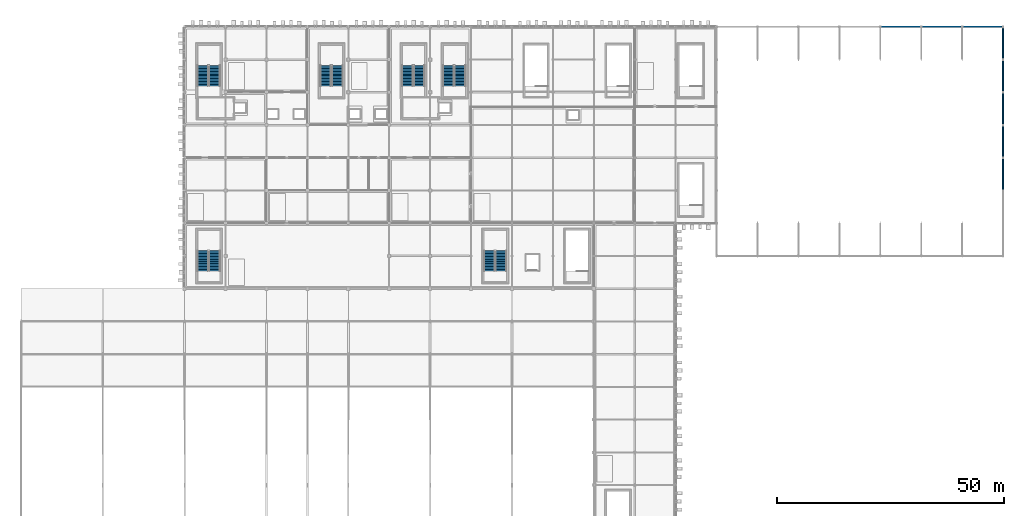
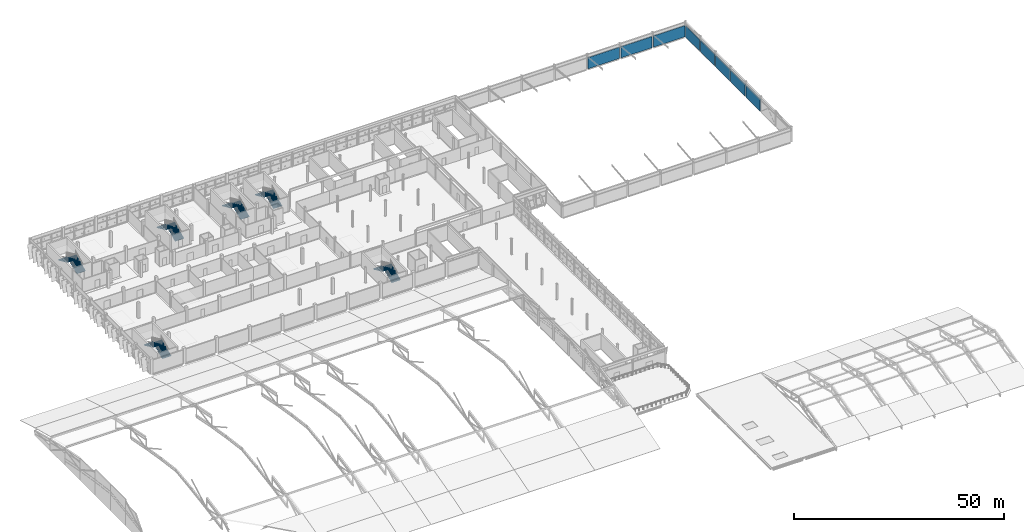
# One storey, part 108 of 124: 12 stair flights, 8 walls, 6 elements without a shape of their own.
"""IFC4 building model written with IfcOpenShell, lengths in metres."""

from ifc_helpers import new_model, si_unit, direction, frame, frame_2d, origin, place, context, subcontext, project, spatial, polyline, rectangle, outline, extrude, material, layer, layer_set, type_object, element, aggregate, save


model = new_model("IFC4")

# Units and contexts
model_context = context("Model", 3, precision=1e-05, world=origin(), true_north=direction((0.0, 1.0)))
body_context = subcontext(model_context, "Body", "Model", "MODEL_VIEW")
ifc_project = project(units=[si_unit("LENGTHUNIT", "METRE"), si_unit("AREAUNIT", "SQUARE_METRE"), si_unit("VOLUMEUNIT", "CUBIC_METRE"), si_unit("PLANEANGLEUNIT", "RADIAN"), si_unit("MASSUNIT", "GRAM", prefix="KILO")], contexts=[model_context])

# Site, building, storey
site_placement = place(None, origin())
site = spatial("IfcSite", under=ifc_project, at=site_placement, CompositionType="ELEMENT")
building_placement = place(site_placement, origin())
building = spatial("IfcBuilding", under=site, at=building_placement, Name="Celestram Park Convention Centre", CompositionType="ELEMENT")
storey_placement = place(building_placement, frame((0.0, 0.0, 15.300048828125)))
storey = spatial("IfcBuildingStorey", under=building, at=storey_placement, Name="L03", CompositionType="ELEMENT", Elevation=15.300048828125)

# Walls
ifc_material = material(Name="Precast Concrete C40/50", Category="concrete")
ifc_layer = layer(ifc_material, 0.260009765625)
ifc_layer_set = layer_set([ifc_layer], Name="Precast Concrete C40/50")
wall_type = type_object("IfcWallType", Name="ARC-WL-EXT260", PredefinedType="STANDARD", material=ifc_layer_set)
for number, where, z_axis, x_axis, name in (
    (1, (189.197998046875, 165.60009765625, 0.0), (0.0, 0.0, 1.0), (1.0, 0.0, 0.0), "Bush-hammered precast exterior wall WL-L03-EW199"),
    (2, (198.197998046875, 165.60009765625, 0.0), (0.0, 0.0, 1.0), (1.0, 0.0, 0.0), "Bush-hammered precast exterior wall WL-L03-EW200"),
    (3, (207.197998046875, 165.60009765625, 0.0), (0.0, 0.0, 1.0), (1.0, 0.0, 0.0), "Bush-hammered precast exterior wall WL-L03-EW201"),
):
    element("IfcWall", number, at=place(storey_placement, frame(where, z_axis=z_axis, x_axis=x_axis)), inside=storey, type_object=wall_type, Name=name, PredefinedType="STANDARD", context=body_context, shape_type="SweptSolid", body=[
        extrude(rectangle(XDim=8.60400390625, YDim=0.260009765625, at=frame_2d((4.302001953125, 0.0))), origin(), (0.0, 0.0, 1.0), 3.239013671875),
    ])
wall_placement = place(storey_placement, frame((216.0, 165.402099609375, 0.0), z_axis=(0.0, 0.0, 1.0), x_axis=(0.0, -1.0, 0.0)))
element("IfcWall", 4, at=wall_placement, inside=storey, type_object=wall_type, Name="Bush-hammered precast exterior wall WL-L03-EW202", PredefinedType="STANDARD", context=body_context, shape_type="SweptSolid", body=[
    extrude(rectangle(XDim=6.80419921875, YDim=0.260009765625, at=frame_2d((3.402099609375, 0.0))), origin(), (0.0, 0.0, 1.0), 3.239013671875),
])
for number, where, z_axis, x_axis, name in (
    (5, (216.0, 158.201904296875, 0.0), (0.0, 0.0, 1.0), (0.0, -1.0, 0.0), "Bush-hammered precast exterior wall WL-L03-EW203"),
    (6, (216.0, 151.001953125, 0.0), (0.0, 0.0, 1.0), (0.0, -1.0, 0.0), "Bush-hammered precast exterior wall WL-L03-EW204"),
    (7, (216.0, 143.802001953125, 0.0), (0.0, 0.0, 1.0), (0.0, -1.0, 0.0), "Bush-hammered precast exterior wall WL-L03-EW205"),
    (8, (216.0, 136.60205078125, 0.0), (0.0, 0.0, 1.0), (0.0, -1.0, 0.0), "Bush-hammered precast exterior wall WL-L03-EW206"),
):
    element("IfcWall", number, at=place(storey_placement, frame(where, z_axis=z_axis, x_axis=x_axis)), inside=storey, type_object=wall_type, Name=name, PredefinedType="STANDARD", context=body_context, shape_type="SweptSolid", body=[
        extrude(rectangle(XDim=6.803955078125, YDim=0.260009765625, at=frame_2d((3.40185546875, 0.0))), origin(), (0.0, 0.0, 1.0), 3.31787109375),
    ])

# Stair, stair flights
stair_type = type_object("IfcStairType", Name="ARC-STR-DOG45", PredefinedType="HALF_TURN_STAIR", material=ifc_material)
stair_1_placement = place(storey_placement, origin())
stair_1 = element("IfcStair", 9, at=stair_1_placement, inside=storey, type_object=stair_type, Name="L03 Core C1 stair ST-01", PredefinedType="HALF_TURN_STAIR")
stair_flight_type = type_object("IfcStairFlightType", Name="ARC-FLT-15R", PredefinedType="STRAIGHT", material=ifc_material)
stair_flight_1_placement = place(storey_placement, frame((42.60009765625, 152.60009765625, 0.0), z_axis=(0.0, 0.0, 1.0), x_axis=(0.0, 1.0, 0.0)))
stair_flight_1 = element("IfcStairFlight", 10, at=stair_flight_1_placement, type_object=stair_flight_type, Name="ST-01 flight 1", NumberOfRisers=15, NumberOfTreads=14, PredefinedType="STRAIGHT", RiserHeight=0.15, TreadLength=0.32, context=body_context, shape_type="SweptSolid", body=[
    extrude(outline(polyline([(0.0, 0.0), (0.0, 0.14990234375), (0.320068359375, 0.14990234375), (0.320068359375, 0.300048828125), (0.639892578125, 0.300048828125), (0.639892578125, 0.449951171875), (0.9599609375, 0.449951171875), (0.9599609375, 0.60009765625), (1.280029296875, 0.60009765625), (1.280029296875, 0.75), (1.60009765625, 0.75), (1.60009765625, 0.89990234375), (1.919921875, 0.89990234375), (1.919921875, 1.050048828125), (2.239990234375, 1.050048828125), (2.239990234375, 1.199951171875), (2.56005859375, 1.199951171875), (2.56005859375, 1.35009765625), (2.8798828125, 1.35009765625), (2.8798828125, 1.5), (3.199951171875, 1.5), (3.199951171875, 1.64990234375), (3.52001953125, 1.64990234375), (3.52001953125, 1.800048828125), (3.840087890625, 1.800048828125), (3.840087890625, 1.949951171875), (4.159912109375, 1.949951171875), (4.159912109375, 2.10009765625), (4.47998046875, 2.10009765625), (4.47998046875, 2.25), (4.47998046875, 1.934326171875), (0.353271484375, 0.0), (0.0, 0.0)])), frame((0.0, 1.199951171875, 0.0), z_axis=(0.0, -1.0, 0.0), x_axis=(1.0, 0.0, 0.0)), (0.0, 0.0, 1.0), 2.39990234375),
])
stair_flight_2_placement = place(storey_placement, frame((40.0400390625, 157.080078125, 2.25), z_axis=(0.0, 0.0, 1.0), x_axis=(0.0, -1.0, 0.0)))
stair_flight_2 = element("IfcStairFlight", 11, at=stair_flight_2_placement, type_object=stair_flight_type, Name="ST-01 flight 2", NumberOfRisers=15, NumberOfTreads=14, PredefinedType="STRAIGHT", RiserHeight=0.15, TreadLength=0.32, context=body_context, shape_type="SweptSolid", body=[
    extrude(outline(polyline([(0.0, 0.0), (0.0, 0.14990234375), (0.320068359375, 0.14990234375), (0.320068359375, 0.300048828125), (0.639892578125, 0.300048828125), (0.639892578125, 0.449951171875), (0.9599609375, 0.449951171875), (0.9599609375, 0.60009765625), (1.280029296875, 0.60009765625), (1.280029296875, 0.75), (1.60009765625, 0.75), (1.60009765625, 0.89990234375), (1.919921875, 0.89990234375), (1.919921875, 1.050048828125), (2.239990234375, 1.050048828125), (2.239990234375, 1.199951171875), (2.56005859375, 1.199951171875), (2.56005859375, 1.35009765625), (2.8798828125, 1.35009765625), (2.8798828125, 1.5), (3.199951171875, 1.5), (3.199951171875, 1.64990234375), (3.52001953125, 1.64990234375), (3.52001953125, 1.800048828125), (3.840087890625, 1.800048828125), (3.840087890625, 1.949951171875), (4.159912109375, 1.949951171875), (4.159912109375, 2.10009765625), (4.47998046875, 2.10009765625), (4.47998046875, 2.25), (4.47998046875, 1.934326171875), (0.353271484375, 0.0), (0.0, 0.0)])), frame((0.0, 1.199951171875, 0.0), z_axis=(0.0, -1.0, 0.0), x_axis=(1.0, 0.0, 0.0)), (0.0, 0.0, 1.0), 2.39990234375),
])
aggregate(stair_1, [stair_flight_1, stair_flight_2])

stair_2_placement = place(storey_placement, origin())
stair_2 = element("IfcStair", 12, at=stair_2_placement, inside=storey, type_object=stair_type, Name="L03 Core C2 stair ST-02", PredefinedType="HALF_TURN_STAIR")
stair_flight_3_placement = place(storey_placement, frame((87.60009765625, 152.60009765625, 0.0), z_axis=(0.0, 0.0, 1.0), x_axis=(0.0, 1.0, 0.0)))
stair_flight_3 = element("IfcStairFlight", 13, at=stair_flight_3_placement, type_object=stair_flight_type, Name="ST-02 flight 1", NumberOfRisers=15, NumberOfTreads=14, PredefinedType="STRAIGHT", RiserHeight=0.15, TreadLength=0.32, context=body_context, shape_type="SweptSolid", body=[
    extrude(outline(polyline([(0.0, 0.0), (0.0, 0.14990234375), (0.320068359375, 0.14990234375), (0.320068359375, 0.300048828125), (0.639892578125, 0.300048828125), (0.639892578125, 0.449951171875), (0.9599609375, 0.449951171875), (0.9599609375, 0.60009765625), (1.280029296875, 0.60009765625), (1.280029296875, 0.75), (1.60009765625, 0.75), (1.60009765625, 0.89990234375), (1.919921875, 0.89990234375), (1.919921875, 1.050048828125), (2.239990234375, 1.050048828125), (2.239990234375, 1.199951171875), (2.56005859375, 1.199951171875), (2.56005859375, 1.35009765625), (2.8798828125, 1.35009765625), (2.8798828125, 1.5), (3.199951171875, 1.5), (3.199951171875, 1.64990234375), (3.52001953125, 1.64990234375), (3.52001953125, 1.800048828125), (3.840087890625, 1.800048828125), (3.840087890625, 1.949951171875), (4.159912109375, 1.949951171875), (4.159912109375, 2.10009765625), (4.47998046875, 2.10009765625), (4.47998046875, 2.25), (4.47998046875, 1.934326171875), (0.353271484375, 0.0), (0.0, 0.0)])), frame((0.0, 1.199951171875, 0.0), z_axis=(0.0, -1.0, 0.0), x_axis=(1.0, 0.0, 0.0)), (0.0, 0.0, 1.0), 2.39990234375),
])
stair_flight_4_placement = place(storey_placement, frame((85.0400390625, 157.080078125, 2.25), z_axis=(0.0, 0.0, 1.0), x_axis=(0.0, -1.0, 0.0)))
stair_flight_4 = element("IfcStairFlight", 14, at=stair_flight_4_placement, type_object=stair_flight_type, Name="ST-02 flight 2", NumberOfRisers=15, NumberOfTreads=14, PredefinedType="STRAIGHT", RiserHeight=0.15, TreadLength=0.32, context=body_context, shape_type="SweptSolid", body=[
    extrude(outline(polyline([(0.0, 0.0), (0.0, 0.14990234375), (0.320068359375, 0.14990234375), (0.320068359375, 0.300048828125), (0.639892578125, 0.300048828125), (0.639892578125, 0.449951171875), (0.9599609375, 0.449951171875), (0.9599609375, 0.60009765625), (1.280029296875, 0.60009765625), (1.280029296875, 0.75), (1.60009765625, 0.75), (1.60009765625, 0.89990234375), (1.919921875, 0.89990234375), (1.919921875, 1.050048828125), (2.239990234375, 1.050048828125), (2.239990234375, 1.199951171875), (2.56005859375, 1.199951171875), (2.56005859375, 1.35009765625), (2.8798828125, 1.35009765625), (2.8798828125, 1.5), (3.199951171875, 1.5), (3.199951171875, 1.64990234375), (3.52001953125, 1.64990234375), (3.52001953125, 1.800048828125), (3.840087890625, 1.800048828125), (3.840087890625, 1.949951171875), (4.159912109375, 1.949951171875), (4.159912109375, 2.10009765625), (4.47998046875, 2.10009765625), (4.47998046875, 2.25), (4.47998046875, 1.934326171875), (0.353271484375, 0.0), (0.0, 0.0)])), frame((0.0, 1.199951171875, 0.0), z_axis=(0.0, -1.0, 0.0), x_axis=(1.0, 0.0, 0.0)), (0.0, 0.0, 1.0), 2.39990234375),
])
aggregate(stair_2, [stair_flight_3, stair_flight_4])

stair_3_placement = place(storey_placement, origin())
stair_3 = element("IfcStair", 15, at=stair_3_placement, inside=storey, type_object=stair_type, Name="L03 Core C3 stair ST-03", PredefinedType="HALF_TURN_STAIR")
stair_flight_5_placement = place(storey_placement, frame((105.60009765625, 111.89990234375, 0.0), z_axis=(0.0, 0.0, 1.0), x_axis=(0.0, 1.0, 0.0)))
stair_flight_5 = element("IfcStairFlight", 16, at=stair_flight_5_placement, type_object=stair_flight_type, Name="ST-03 flight 1", NumberOfRisers=15, NumberOfTreads=14, PredefinedType="STRAIGHT", RiserHeight=0.15, TreadLength=0.32, context=body_context, shape_type="SweptSolid", body=[
    extrude(outline(polyline([(0.0, 0.0), (0.0, 0.14990234375), (0.320068359375, 0.14990234375), (0.320068359375, 0.300048828125), (0.639892578125, 0.300048828125), (0.639892578125, 0.449951171875), (0.9599609375, 0.449951171875), (0.9599609375, 0.60009765625), (1.280029296875, 0.60009765625), (1.280029296875, 0.75), (1.60009765625, 0.75), (1.60009765625, 0.89990234375), (1.919921875, 0.89990234375), (1.919921875, 1.050048828125), (2.239990234375, 1.050048828125), (2.239990234375, 1.199951171875), (2.56005859375, 1.199951171875), (2.56005859375, 1.35009765625), (2.8798828125, 1.35009765625), (2.8798828125, 1.5), (3.199951171875, 1.5), (3.199951171875, 1.64990234375), (3.52001953125, 1.64990234375), (3.52001953125, 1.800048828125), (3.840087890625, 1.800048828125), (3.840087890625, 1.949951171875), (4.159912109375, 1.949951171875), (4.159912109375, 2.10009765625), (4.47998046875, 2.10009765625), (4.47998046875, 2.25), (4.47998046875, 1.934326171875), (0.353271484375, 0.0), (0.0, 0.0)])), frame((0.0, 1.199951171875, 0.0), z_axis=(0.0, -1.0, 0.0), x_axis=(1.0, 0.0, 0.0)), (0.0, 0.0, 1.0), 2.39990234375),
])
stair_flight_6_placement = place(storey_placement, frame((103.0400390625, 116.3798828125, 2.25), z_axis=(0.0, 0.0, 1.0), x_axis=(0.0, -1.0, 0.0)))
stair_flight_6 = element("IfcStairFlight", 17, at=stair_flight_6_placement, type_object=stair_flight_type, Name="ST-03 flight 2", NumberOfRisers=15, NumberOfTreads=14, PredefinedType="STRAIGHT", RiserHeight=0.15, TreadLength=0.32, context=body_context, shape_type="SweptSolid", body=[
    extrude(outline(polyline([(0.0, 0.0), (0.0, 0.14990234375), (0.320068359375, 0.14990234375), (0.320068359375, 0.300048828125), (0.639892578125, 0.300048828125), (0.639892578125, 0.449951171875), (0.9599609375, 0.449951171875), (0.9599609375, 0.60009765625), (1.280029296875, 0.60009765625), (1.280029296875, 0.75), (1.60009765625, 0.75), (1.60009765625, 0.89990234375), (1.919921875, 0.89990234375), (1.919921875, 1.050048828125), (2.239990234375, 1.050048828125), (2.239990234375, 1.199951171875), (2.56005859375, 1.199951171875), (2.56005859375, 1.35009765625), (2.8798828125, 1.35009765625), (2.8798828125, 1.5), (3.199951171875, 1.5), (3.199951171875, 1.64990234375), (3.52001953125, 1.64990234375), (3.52001953125, 1.800048828125), (3.840087890625, 1.800048828125), (3.840087890625, 1.949951171875), (4.159912109375, 1.949951171875), (4.159912109375, 2.10009765625), (4.47998046875, 2.10009765625), (4.47998046875, 2.25), (4.47998046875, 1.934326171875), (0.353271484375, 0.0), (0.0, 0.0)])), frame((0.0, 1.199951171875, 0.0), z_axis=(0.0, -1.0, 0.0), x_axis=(1.0, 0.0, 0.0)), (0.0, 0.0, 1.0), 2.39990234375),
])
aggregate(stair_3, [stair_flight_5, stair_flight_6])

stair_4_placement = place(storey_placement, origin())
stair_4 = element("IfcStair", 18, at=stair_4_placement, inside=storey, type_object=stair_type, Name="L03 Core S13 stair ST-13", PredefinedType="HALF_TURN_STAIR")
stair_flight_7_placement = place(storey_placement, frame((42.60009765625, 111.89990234375, 0.0), z_axis=(0.0, 0.0, 1.0), x_axis=(0.0, 1.0, 0.0)))
stair_flight_7 = element("IfcStairFlight", 19, at=stair_flight_7_placement, type_object=stair_flight_type, Name="ST-13 flight 1", NumberOfRisers=15, NumberOfTreads=14, PredefinedType="STRAIGHT", RiserHeight=0.15, TreadLength=0.32, context=body_context, shape_type="SweptSolid", body=[
    extrude(outline(polyline([(0.0, 0.0), (0.0, 0.14990234375), (0.320068359375, 0.14990234375), (0.320068359375, 0.300048828125), (0.639892578125, 0.300048828125), (0.639892578125, 0.449951171875), (0.9599609375, 0.449951171875), (0.9599609375, 0.60009765625), (1.280029296875, 0.60009765625), (1.280029296875, 0.75), (1.60009765625, 0.75), (1.60009765625, 0.89990234375), (1.919921875, 0.89990234375), (1.919921875, 1.050048828125), (2.239990234375, 1.050048828125), (2.239990234375, 1.199951171875), (2.56005859375, 1.199951171875), (2.56005859375, 1.35009765625), (2.8798828125, 1.35009765625), (2.8798828125, 1.5), (3.199951171875, 1.5), (3.199951171875, 1.64990234375), (3.52001953125, 1.64990234375), (3.52001953125, 1.800048828125), (3.840087890625, 1.800048828125), (3.840087890625, 1.949951171875), (4.159912109375, 1.949951171875), (4.159912109375, 2.10009765625), (4.47998046875, 2.10009765625), (4.47998046875, 2.25), (4.47998046875, 1.934326171875), (0.353271484375, 0.0), (0.0, 0.0)])), frame((0.0, 1.199951171875, 0.0), z_axis=(0.0, -1.0, 0.0), x_axis=(1.0, 0.0, 0.0)), (0.0, 0.0, 1.0), 2.39990234375),
])
stair_flight_8_placement = place(storey_placement, frame((40.0400390625, 116.3798828125, 2.25), z_axis=(0.0, 0.0, 1.0), x_axis=(0.0, -1.0, 0.0)))
stair_flight_8 = element("IfcStairFlight", 20, at=stair_flight_8_placement, type_object=stair_flight_type, Name="ST-13 flight 2", NumberOfRisers=15, NumberOfTreads=14, PredefinedType="STRAIGHT", RiserHeight=0.15, TreadLength=0.32, context=body_context, shape_type="SweptSolid", body=[
    extrude(outline(polyline([(0.0, 0.0), (0.0, 0.14990234375), (0.320068359375, 0.14990234375), (0.320068359375, 0.300048828125), (0.639892578125, 0.300048828125), (0.639892578125, 0.449951171875), (0.9599609375, 0.449951171875), (0.9599609375, 0.60009765625), (1.280029296875, 0.60009765625), (1.280029296875, 0.75), (1.60009765625, 0.75), (1.60009765625, 0.89990234375), (1.919921875, 0.89990234375), (1.919921875, 1.050048828125), (2.239990234375, 1.050048828125), (2.239990234375, 1.199951171875), (2.56005859375, 1.199951171875), (2.56005859375, 1.35009765625), (2.8798828125, 1.35009765625), (2.8798828125, 1.5), (3.199951171875, 1.5), (3.199951171875, 1.64990234375), (3.52001953125, 1.64990234375), (3.52001953125, 1.800048828125), (3.840087890625, 1.800048828125), (3.840087890625, 1.949951171875), (4.159912109375, 1.949951171875), (4.159912109375, 2.10009765625), (4.47998046875, 2.10009765625), (4.47998046875, 2.25), (4.47998046875, 1.934326171875), (0.353271484375, 0.0), (0.0, 0.0)])), frame((0.0, 1.199951171875, 0.0), z_axis=(0.0, -1.0, 0.0), x_axis=(1.0, 0.0, 0.0)), (0.0, 0.0, 1.0), 2.39990234375),
])
aggregate(stair_4, [stair_flight_7, stair_flight_8])

stair_5_placement = place(storey_placement, origin())
stair_5 = element("IfcStair", 21, at=stair_5_placement, inside=storey, type_object=stair_type, Name="L03 Core S14 stair ST-14", PredefinedType="HALF_TURN_STAIR")
stair_flight_9_placement = place(storey_placement, frame((69.60009765625, 152.60009765625, 0.0), z_axis=(0.0, 0.0, 1.0), x_axis=(0.0, 1.0, 0.0)))
stair_flight_9 = element("IfcStairFlight", 22, at=stair_flight_9_placement, type_object=stair_flight_type, Name="ST-14 flight 1", NumberOfRisers=15, NumberOfTreads=14, PredefinedType="STRAIGHT", RiserHeight=0.15, TreadLength=0.32, context=body_context, shape_type="SweptSolid", body=[
    extrude(outline(polyline([(0.0, 0.0), (0.0, 0.14990234375), (0.320068359375, 0.14990234375), (0.320068359375, 0.300048828125), (0.639892578125, 0.300048828125), (0.639892578125, 0.449951171875), (0.9599609375, 0.449951171875), (0.9599609375, 0.60009765625), (1.280029296875, 0.60009765625), (1.280029296875, 0.75), (1.60009765625, 0.75), (1.60009765625, 0.89990234375), (1.919921875, 0.89990234375), (1.919921875, 1.050048828125), (2.239990234375, 1.050048828125), (2.239990234375, 1.199951171875), (2.56005859375, 1.199951171875), (2.56005859375, 1.35009765625), (2.8798828125, 1.35009765625), (2.8798828125, 1.5), (3.199951171875, 1.5), (3.199951171875, 1.64990234375), (3.52001953125, 1.64990234375), (3.52001953125, 1.800048828125), (3.840087890625, 1.800048828125), (3.840087890625, 1.949951171875), (4.159912109375, 1.949951171875), (4.159912109375, 2.10009765625), (4.47998046875, 2.10009765625), (4.47998046875, 2.25), (4.47998046875, 1.934326171875), (0.353271484375, 0.0), (0.0, 0.0)])), frame((0.0, 1.199951171875, 0.0), z_axis=(0.0, -1.0, 0.0), x_axis=(1.0, 0.0, 0.0)), (0.0, 0.0, 1.0), 2.39990234375),
])
stair_flight_10_placement = place(storey_placement, frame((67.0400390625, 157.080078125, 2.25), z_axis=(0.0, 0.0, 1.0), x_axis=(0.0, -1.0, 0.0)))
stair_flight_10 = element("IfcStairFlight", 23, at=stair_flight_10_placement, type_object=stair_flight_type, Name="ST-14 flight 2", NumberOfRisers=15, NumberOfTreads=14, PredefinedType="STRAIGHT", RiserHeight=0.15, TreadLength=0.32, context=body_context, shape_type="SweptSolid", body=[
    extrude(outline(polyline([(0.0, 0.0), (0.0, 0.14990234375), (0.320068359375, 0.14990234375), (0.320068359375, 0.300048828125), (0.639892578125, 0.300048828125), (0.639892578125, 0.449951171875), (0.9599609375, 0.449951171875), (0.9599609375, 0.60009765625), (1.280029296875, 0.60009765625), (1.280029296875, 0.75), (1.60009765625, 0.75), (1.60009765625, 0.89990234375), (1.919921875, 0.89990234375), (1.919921875, 1.050048828125), (2.239990234375, 1.050048828125), (2.239990234375, 1.199951171875), (2.56005859375, 1.199951171875), (2.56005859375, 1.35009765625), (2.8798828125, 1.35009765625), (2.8798828125, 1.5), (3.199951171875, 1.5), (3.199951171875, 1.64990234375), (3.52001953125, 1.64990234375), (3.52001953125, 1.800048828125), (3.840087890625, 1.800048828125), (3.840087890625, 1.949951171875), (4.159912109375, 1.949951171875), (4.159912109375, 2.10009765625), (4.47998046875, 2.10009765625), (4.47998046875, 2.25), (4.47998046875, 1.934326171875), (0.353271484375, 0.0), (0.0, 0.0)])), frame((0.0, 1.199951171875, 0.0), z_axis=(0.0, -1.0, 0.0), x_axis=(1.0, 0.0, 0.0)), (0.0, 0.0, 1.0), 2.39990234375),
])
aggregate(stair_5, [stair_flight_9, stair_flight_10])

stair_6_placement = place(storey_placement, origin())
stair_6 = element("IfcStair", 24, at=stair_6_placement, inside=storey, type_object=stair_type, Name="L03 Core S19 stair ST-19", PredefinedType="HALF_TURN_STAIR")
stair_flight_11_placement = place(storey_placement, frame((96.60009765625, 152.60009765625, 0.0), z_axis=(0.0, 0.0, 1.0), x_axis=(0.0, 1.0, 0.0)))
stair_flight_11 = element("IfcStairFlight", 25, at=stair_flight_11_placement, type_object=stair_flight_type, Name="ST-19 flight 1", NumberOfRisers=15, NumberOfTreads=14, PredefinedType="STRAIGHT", RiserHeight=0.15, TreadLength=0.32, context=body_context, shape_type="SweptSolid", body=[
    extrude(outline(polyline([(0.0, 0.0), (0.0, 0.14990234375), (0.320068359375, 0.14990234375), (0.320068359375, 0.300048828125), (0.639892578125, 0.300048828125), (0.639892578125, 0.449951171875), (0.9599609375, 0.449951171875), (0.9599609375, 0.60009765625), (1.280029296875, 0.60009765625), (1.280029296875, 0.75), (1.60009765625, 0.75), (1.60009765625, 0.89990234375), (1.919921875, 0.89990234375), (1.919921875, 1.050048828125), (2.239990234375, 1.050048828125), (2.239990234375, 1.199951171875), (2.56005859375, 1.199951171875), (2.56005859375, 1.35009765625), (2.8798828125, 1.35009765625), (2.8798828125, 1.5), (3.199951171875, 1.5), (3.199951171875, 1.64990234375), (3.52001953125, 1.64990234375), (3.52001953125, 1.800048828125), (3.840087890625, 1.800048828125), (3.840087890625, 1.949951171875), (4.159912109375, 1.949951171875), (4.159912109375, 2.10009765625), (4.47998046875, 2.10009765625), (4.47998046875, 2.25), (4.47998046875, 1.934326171875), (0.353271484375, 0.0), (0.0, 0.0)])), frame((0.0, 1.199951171875, 0.0), z_axis=(0.0, -1.0, 0.0), x_axis=(1.0, 0.0, 0.0)), (0.0, 0.0, 1.0), 2.39990234375),
])
stair_flight_12_placement = place(storey_placement, frame((94.0400390625, 157.080078125, 2.25), z_axis=(0.0, 0.0, 1.0), x_axis=(0.0, -1.0, 0.0)))
stair_flight_12 = element("IfcStairFlight", 26, at=stair_flight_12_placement, type_object=stair_flight_type, Name="ST-19 flight 2", NumberOfRisers=15, NumberOfTreads=14, PredefinedType="STRAIGHT", RiserHeight=0.15, TreadLength=0.32, context=body_context, shape_type="SweptSolid", body=[
    extrude(outline(polyline([(0.0, 0.0), (0.0, 0.14990234375), (0.320068359375, 0.14990234375), (0.320068359375, 0.300048828125), (0.639892578125, 0.300048828125), (0.639892578125, 0.449951171875), (0.9599609375, 0.449951171875), (0.9599609375, 0.60009765625), (1.280029296875, 0.60009765625), (1.280029296875, 0.75), (1.60009765625, 0.75), (1.60009765625, 0.89990234375), (1.919921875, 0.89990234375), (1.919921875, 1.050048828125), (2.239990234375, 1.050048828125), (2.239990234375, 1.199951171875), (2.56005859375, 1.199951171875), (2.56005859375, 1.35009765625), (2.8798828125, 1.35009765625), (2.8798828125, 1.5), (3.199951171875, 1.5), (3.199951171875, 1.64990234375), (3.52001953125, 1.64990234375), (3.52001953125, 1.800048828125), (3.840087890625, 1.800048828125), (3.840087890625, 1.949951171875), (4.159912109375, 1.949951171875), (4.159912109375, 2.10009765625), (4.47998046875, 2.10009765625), (4.47998046875, 2.25), (4.47998046875, 1.934326171875), (0.353271484375, 0.0), (0.0, 0.0)])), frame((0.0, 1.199951171875, 0.0), z_axis=(0.0, -1.0, 0.0), x_axis=(1.0, 0.0, 0.0)), (0.0, 0.0, 1.0), 2.39990234375),
])
aggregate(stair_6, [stair_flight_11, stair_flight_12])

save(model, "model.ifc")
